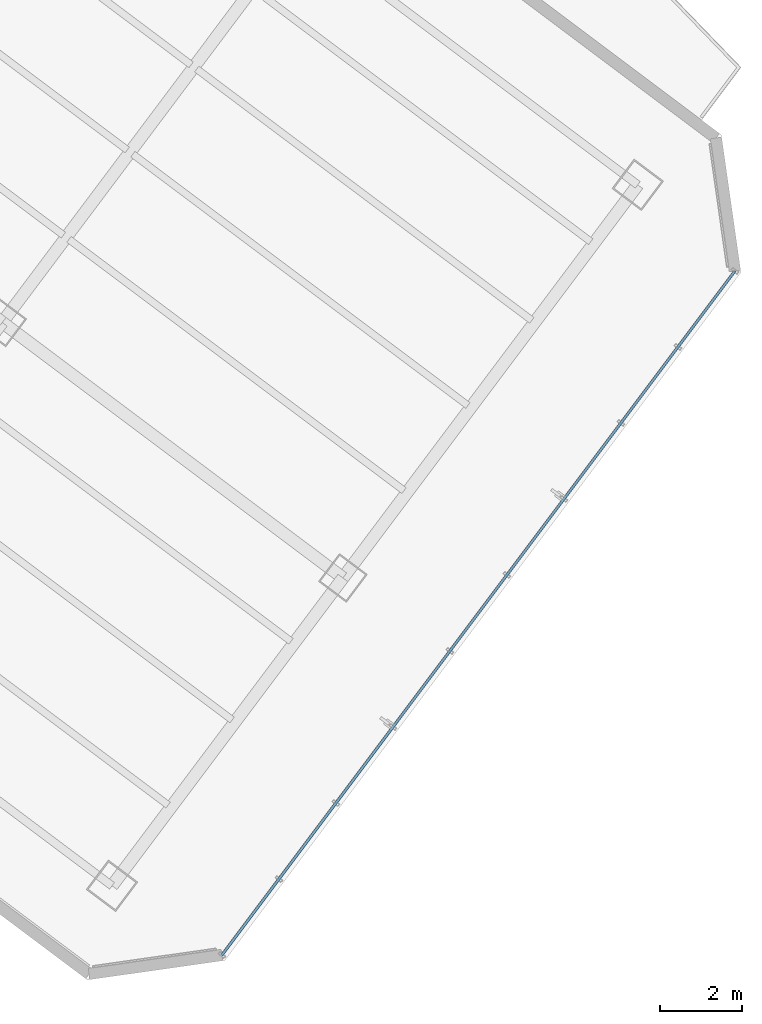
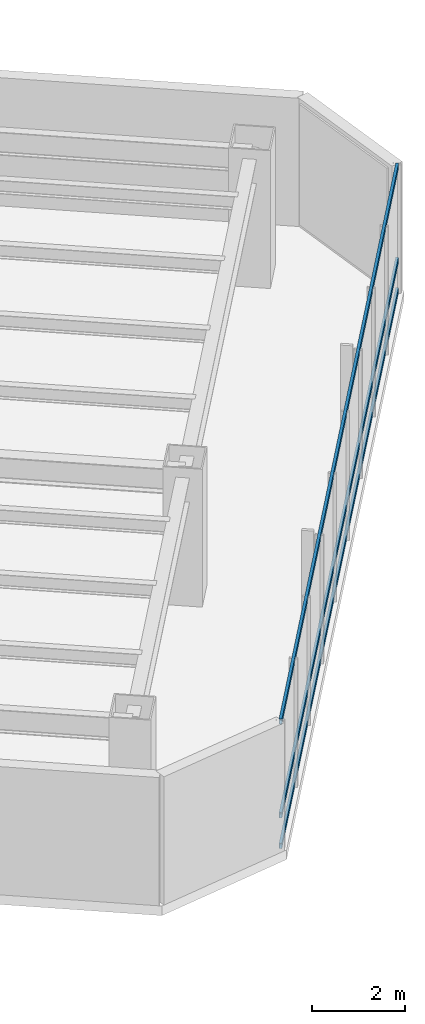
# One storey, part 9 of 29: 3 members, 1 element without a shape of its own.
"""IFC4 building model written with IfcOpenShell, lengths in metres."""

from ifc_helpers import new_model, si_unit, direction, frame, origin, origin_2d, place, context, subcontext, project, spatial, hollow_rectangle, extrude, material, layer, layer_set, material_profile, profile_set, type_object, element, aggregate, save


model = new_model("IFC4")

# Units and contexts
model_context = context("Model", 3, precision=1e-05, world=origin(), true_north=direction((0.0, 1.0)))
body_context = subcontext(model_context, "Body", "Model", "MODEL_VIEW")
ifc_project = project(units=[si_unit("LENGTHUNIT", "METRE"), si_unit("AREAUNIT", "SQUARE_METRE"), si_unit("VOLUMEUNIT", "CUBIC_METRE"), si_unit("PLANEANGLEUNIT", "RADIAN"), si_unit("MASSUNIT", "GRAM", prefix="KILO")], contexts=[model_context])

# Site, building, storey
site_placement = place(None, origin())
site = spatial("IfcSite", under=ifc_project, at=site_placement, CompositionType="ELEMENT")
building_placement = place(site_placement, origin())
building = spatial("IfcBuilding", under=site, at=building_placement, Name="Hatsunagi Terrace Concourse", CompositionType="ELEMENT")
storey_placement = place(building_placement, frame((0.0, 0.0, 104.85009765625)))
storey = spatial("IfcBuildingStorey", under=building, at=storey_placement, Name="L27", CompositionType="ELEMENT", Elevation=104.85009765625)

# Curtain wall, members
ifc_material_1 = material(Name="Anodised Aluminium Alloy 6063-T5", Category="aluminium")
ifc_layer = layer(ifc_material_1, 0.199951171875)
ifc_layer_set = layer_set([ifc_layer], Name="OfficeZone1_CW03")
curtain_wall_type = type_object("IfcCurtainWallType", Name="OfficeZone1_CW03", PredefinedType="NOTDEFINED", material=ifc_layer_set)
curtain_wall_placement = place(storey_placement, origin())
curtain_wall = element("IfcCurtainWall", 1, at=curtain_wall_placement, inside=storey, type_object=curtain_wall_type, Name="Unitised Curtain Wall CW-03 CW-L27-03", PredefinedType="NOTDEFINED")
ifc_material_2 = material(Name="Anodised Aluminium Alloy 6063-T5", Category="aluminium")
ifc_material_profile = material_profile(ifc_material_2, hollow_rectangle(XDim=0.06494140625, YDim=0.139892578125, WallThickness=0.00390625, at=origin_2d()), Name="ALU-TRN-140x65x4")
ifc_profile_set = profile_set([ifc_material_profile], Name="Anodised Aluminium Alloy 6063-T5")
member_type = type_object("IfcMemberType", Name="CurtainWallTransom_140x65", PredefinedType="USERDEFINED", material=ifc_profile_set)
member_1_placement = place(storey_placement, frame((69.093017578125, 19.657958984375, 0.0498046875), z_axis=(-0.599970072971, -0.800022444397, 0.0), x_axis=(0.800022444397, -0.599970072971, 0.0)))
member_1 = element("IfcMember", 2, at=member_1_placement, type_object=member_type, Name="Curtain Wall Transom TRN-02", ObjectType="TRANSOM", PredefinedType="USERDEFINED", context=body_context, shape_type="SweptSolid", body=[
    extrude(hollow_rectangle(XDim=0.06494140625, YDim=0.139892578125, WallThickness=0.00390625, at=origin_2d()), origin(), (0.0, 0.0, 1.0), 20.884521484375),
])
member_2_placement = place(storey_placement, frame((69.093017578125, 19.657958984375, 0.849853515625), z_axis=(-0.599970072971, -0.800022444397, 0.0), x_axis=(0.800022444397, -0.599970072971, 0.0)))
member_2 = element("IfcMember", 3, at=member_2_placement, type_object=member_type, Name="Curtain Wall Transom TRN-02", ObjectType="TRANSOM", PredefinedType="USERDEFINED", context=body_context, shape_type="SweptSolid", body=[
    extrude(hollow_rectangle(XDim=0.06494140625, YDim=0.139892578125, WallThickness=0.00390625, at=origin_2d()), origin(), (0.0, 0.0, 1.0), 20.884521484375),
])
member_3_placement = place(storey_placement, frame((69.093017578125, 19.657958984375, 3.2998046875), z_axis=(-0.599970072971, -0.800022444397, 0.0), x_axis=(0.800022444397, -0.599970072971, 0.0)))
member_3 = element("IfcMember", 4, at=member_3_placement, type_object=member_type, Name="Curtain Wall Transom TRN-02", ObjectType="TRANSOM", PredefinedType="USERDEFINED", context=body_context, shape_type="SweptSolid", body=[
    extrude(hollow_rectangle(XDim=0.06494140625, YDim=0.139892578125, WallThickness=0.00390625, at=origin_2d()), origin(), (0.0, 0.0, 1.0), 20.884521484375),
])
aggregate(curtain_wall, [member_1, member_2, member_3])

save(model, "model.ifc")
